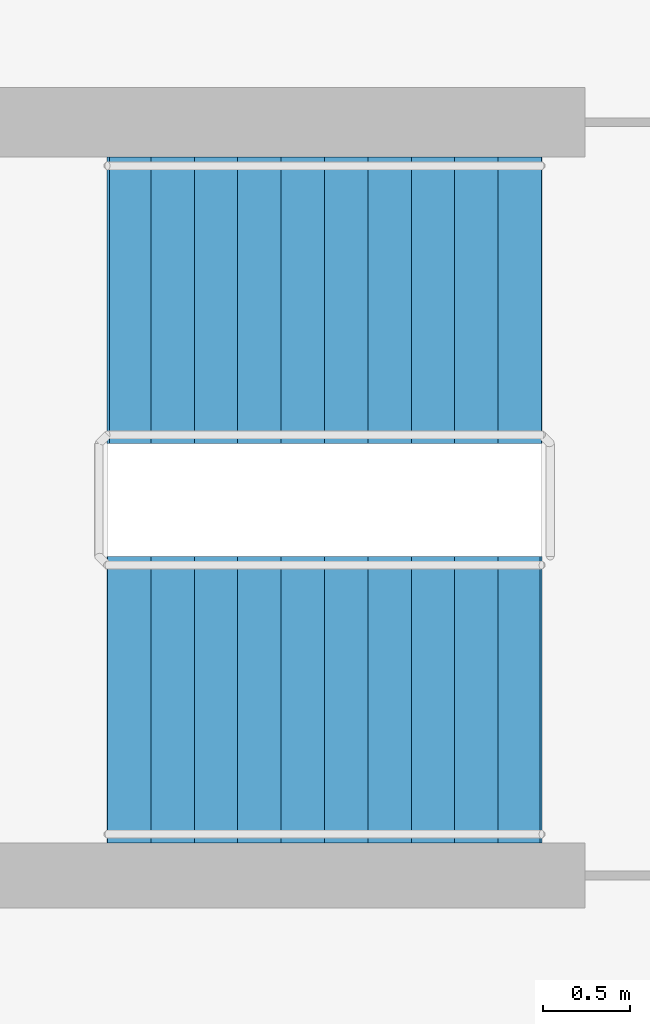
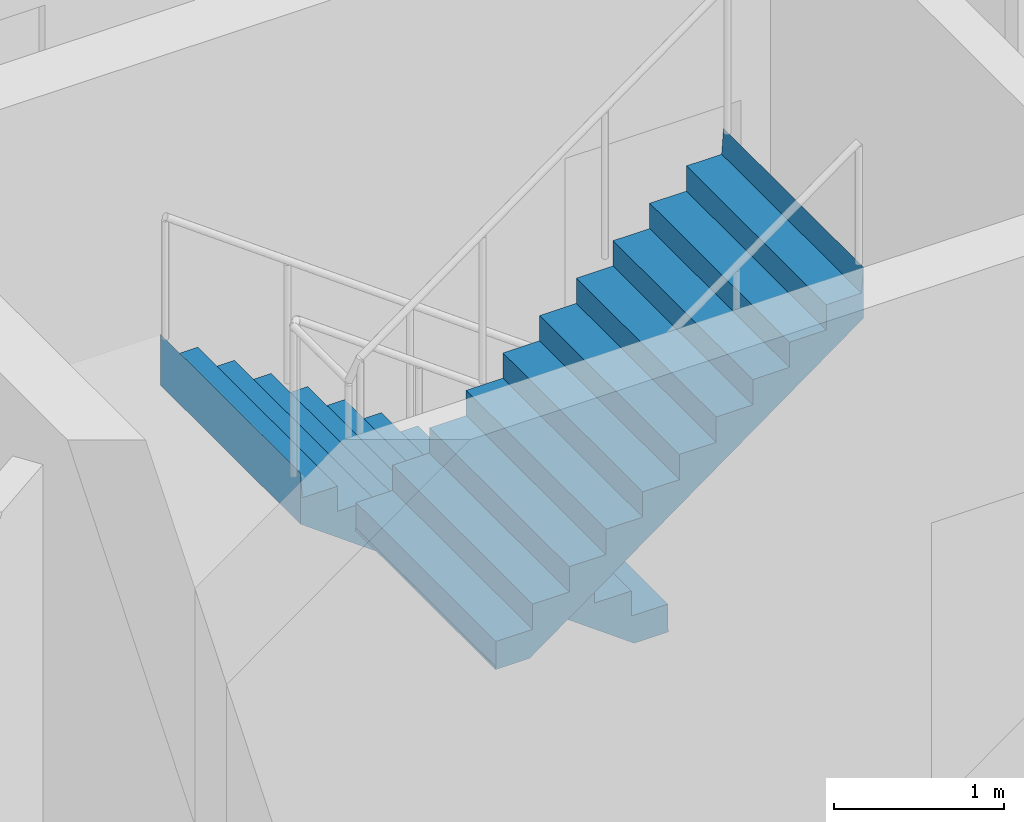
# One storey, part 11 of 12: 2 stair flights, 1 element without a shape of its own.
"""IFC4 building model written with IfcOpenShell, lengths in metres."""

import ifcopenshell
import ifcopenshell.guid

model = None  # the IFC model being written
_history = None  # IfcOwnerHistory: only IFC2X3 demands one
_inside = {}  # id of a spatial element -> (the spatial element, [elements in it])
_under = {}  # id of a project, library or spatial element -> (it, [spatial elements below it])
_declared = {}  # id of a project -> (the project, [libraries it declares])
_typed = {}  # id of a type object -> (the type object, [elements of that type])
_made_of = {}  # id of a material, layer set ... -> (it, [elements and type objects made of it])


def new_model(schema):
    """Start an empty IFC model of exactly this schema.

    Asked for "IFC4X3", IfcOpenShell would pick the latest addendum, in which some entities
    have other attributes; the version numbers below select the first issue.
    IFC2X3 requires an IfcOwnerHistory on every rooted entity: one is made here for all.
    """
    global model, _history
    if schema == "IFC4X3":
        model = ifcopenshell.file(schema_version=(4, 3, 0, 0))
    else:
        model = ifcopenshell.file(schema=schema)
    _inside.clear()
    _under.clear()
    _declared.clear()
    _typed.clear()
    _made_of.clear()
    _history = None
    if model.schema == "IFC2X3":
        org = make("IfcOrganization", Name="unknown")
        user = make(
            "IfcPersonAndOrganization",
            ThePerson=make("IfcPerson", FamilyName="unknown"),
            TheOrganization=org,
        )
        app = make(
            "IfcApplication",
            ApplicationDeveloper=org,
            Version="unknown",
            ApplicationFullName="unknown",
            ApplicationIdentifier="unknown",
        )
        _history = make(
            "IfcOwnerHistory",
            OwningUser=user,
            OwningApplication=app,
            ChangeAction="ADDED",
            CreationDate=0,
        )
    return model


def make(cls, **values):
    """One entity of the class cls with the attributes given. An attribute that is None is left unset."""
    return model.create_entity(
        cls, **{name: value for name, value in values.items() if value is not None}
    )


def rooted(cls, **values):
    """An entity with a GlobalId (a new one), such as an element, a storey or a relation."""
    return make(cls, GlobalId=ifcopenshell.guid.new(), OwnerHistory=_history, **values)


def si_unit(unit_type, name, prefix=None):
    """IfcSIUnit, for example si_unit("LENGTHUNIT", "METRE", prefix="MILLI")."""
    return make("IfcSIUnit", UnitType=unit_type, Prefix=prefix, Name=name)


def assignment(units):
    """IfcUnitAssignment: the units of a project."""
    return None if units is None else make("IfcUnitAssignment", Units=units)


def point(xyz):
    """IfcCartesianPoint."""
    return None if xyz is None else make("IfcCartesianPoint", Coordinates=xyz)


def direction(xyz):
    """IfcDirection."""
    return None if xyz is None else make("IfcDirection", DirectionRatios=xyz)


def frame(location, z_axis=None, x_axis=None):
    """IfcAxis2Placement3D, a coordinate frame: its origin and axes. An axis left out is left unset."""
    return make(
        "IfcAxis2Placement3D",
        Location=point(location),
        Axis=direction(z_axis),
        RefDirection=direction(x_axis),
    )


def origin():
    """The frame at (0, 0, 0) with its axes left unset."""
    return frame((0.0, 0.0, 0.0))


def place(relative_to, where):
    """IfcLocalPlacement: puts the frame where relative to a parent placement (None: the world)."""
    return make(
        "IfcLocalPlacement", PlacementRelTo=relative_to, RelativePlacement=where
    )


def context(
    kind, dimensions, precision=None, world=None, true_north=None, identifier=None
):
    """IfcGeometricRepresentationContext, for example the 3D "Model" context."""
    return make(
        "IfcGeometricRepresentationContext",
        ContextIdentifier=identifier,
        ContextType=kind,
        CoordinateSpaceDimension=dimensions,
        Precision=precision,
        WorldCoordinateSystem=world,
        TrueNorth=true_north,
    )


def subcontext(parent, identifier, kind, view, scale=None):
    """IfcGeometricRepresentationSubContext, for example "Body" below "Model"."""
    return make(
        "IfcGeometricRepresentationSubContext",
        ContextIdentifier=identifier,
        ContextType=kind,
        ParentContext=parent,
        TargetScale=scale,
        TargetView=view,
    )


def project(units=None, contexts=None):
    """IfcProject with its units and contexts."""
    return rooted(
        "IfcProject",
        Name="project",
        RepresentationContexts=contexts,
        UnitsInContext=assignment(units),
    )


def spatial(cls, under=None, at=None, **own):
    """A site, building, storey or space (cls), placed at a placement, below another one or the project."""
    s = rooted(cls, ObjectPlacement=at, **own)
    if under is not None:
        _under.setdefault(under.id(), (under, []))[1].append(s)
    return s


def point_list(points):
    """IfcCartesianPointList2D or 3D."""
    cls = (
        "IfcCartesianPointList2D" if len(points[0]) == 2 else "IfcCartesianPointList3D"
    )
    return make(cls, CoordList=points)


def triangles(points, corners, closed=None, point_numbers=None):
    """IfcTriangulatedFaceSet: each triangle names its three corners, points numbered from 1."""
    return make(
        "IfcTriangulatedFaceSet",
        Coordinates=point_list(points),
        Closed=closed,
        CoordIndex=corners,
        PnIndex=point_numbers,
    )


def shape(context_of_items, identifier, shape_type, items):
    """IfcShapeRepresentation: the items that make up one representation, for example the "Body"."""
    return make(
        "IfcShapeRepresentation",
        ContextOfItems=context_of_items,
        RepresentationIdentifier=identifier,
        RepresentationType=shape_type,
        Items=items,
    )


def material(Name=None, Category=None):
    """IfcMaterial."""
    return make("IfcMaterial", Name=Name, Category=Category)


def made_of(thing, what):
    """Note that an element or type object is made of a material, layer set ...; save() writes the relation."""
    if what is not None:
        _made_of.setdefault(what.id(), (what, []))[1].append(thing)
    return thing


def type_object(cls, material=None, **own):
    """A type object (cls), such as IfcWallType, which elements share."""
    return made_of(rooted(cls, **own), material)


def element(
    cls,
    number,
    at=None,
    inside=None,
    cuts=None,
    type_object=None,
    material=None,
    context=None,
    identifier="Body",
    shape_type=None,
    held_by="IfcProductDefinitionShape",
    body=None,
    shapes=None,
    **own,
):
    """One element of the class cls, such as IfcWall. Its Tag is "e" and its number.

    at: its placement. inside: the storey or other place that contains it. cuts: it is an
    opening in that element (IfcRelVoidsElement). A single representation is given by context,
    identifier, shape_type and body (its items); several are given by shapes. held_by: the class
    of the entity that holds the representations. save() writes the other relations.
    """
    e = rooted(cls, Tag="e%d" % number, ObjectPlacement=at, **own)
    if body is not None:
        shapes = [shape(context, identifier, shape_type, body)]
    if shapes is not None:
        e.Representation = make(held_by, Representations=shapes)
    if inside is not None:
        _inside.setdefault(inside.id(), (inside, []))[1].append(e)
    if cuts is not None:
        rooted(
            "IfcRelVoidsElement", RelatingBuildingElement=cuts, RelatedOpeningElement=e
        )
    if type_object is not None:
        _typed.setdefault(type_object.id(), (type_object, []))[1].append(e)
    return made_of(e, material)


def aggregate(whole, parts):
    """IfcRelAggregates: a whole, such as a stair, and the parts it consists of."""
    return rooted("IfcRelAggregates", RelatingObject=whole, RelatedObjects=parts)


def save(model, path):
    """Write the relations noted so far, then the file.

    IfcRelAggregates (storeys below a building ...), IfcRelContainedInSpatialStructure (elements
    in a storey), IfcRelDefinesByType, IfcRelAssociatesMaterial and IfcRelDeclares: one each for
    every whole, place, type object, material and project.
    """
    for whole, parts in _under.values():
        aggregate(whole, parts)
    for where, things in _inside.values():
        rooted(
            "IfcRelContainedInSpatialStructure",
            RelatedElements=things,
            RelatingStructure=where,
        )
    for kind, things in _typed.values():
        rooted("IfcRelDefinesByType", RelatedObjects=things, RelatingType=kind)
    for what, things in _made_of.values():
        rooted("IfcRelAssociatesMaterial", RelatedObjects=things, RelatingMaterial=what)
    for by, libraries in _declared.values():
        rooted("IfcRelDeclares", RelatingContext=by, RelatedDefinitions=libraries)
    model.write(path)


model = new_model("IFC4")

# Units and contexts
model_context = context("Model", 3, precision=1e-05, world=origin(), true_north=direction((0.0, 1.0)))
body_context = subcontext(model_context, "Body", "Model", "MODEL_VIEW")
ifc_project = project(units=[si_unit("LENGTHUNIT", "METRE"), si_unit("AREAUNIT", "SQUARE_METRE"), si_unit("VOLUMEUNIT", "CUBIC_METRE"), si_unit("PLANEANGLEUNIT", "RADIAN"), si_unit("MASSUNIT", "GRAM", prefix="KILO")], contexts=[model_context])

# Site, building, storey
site_placement = place(None, origin())
site = spatial("IfcSite", under=ifc_project, at=site_placement, CompositionType="ELEMENT")
building_placement = place(site_placement, origin())
building = spatial("IfcBuilding", under=site, at=building_placement, Name="Maasbend Ring Residences", CompositionType="ELEMENT")
storey_placement = place(building_placement, frame((0.0, 0.0, 265.5)))
storey = spatial("IfcBuildingStorey", under=building, at=storey_placement, Name="L76", CompositionType="ELEMENT", Elevation=265.5)

# Stair, stair flights
ifc_material_1 = material(Name="Concrete C40/50", Category="concrete")
stair_type = type_object("IfcStairType", Name="CORE STAIR 22 RISERS", PredefinedType="HALF_TURN_STAIR", material=ifc_material_1)
stair_placement = place(storey_placement, origin())
stair = element("IfcStair", 1, at=stair_placement, inside=storey, type_object=stair_type, Name="L76 Exit stair ST-E1", PredefinedType="HALF_TURN_STAIR")
ifc_material_2 = material(Name="Concrete C40/50", Category="concrete")
stair_flight_type = type_object("IfcStairFlightType", Name="CORE STAIR FLIGHT 1650", PredefinedType="STRAIGHT", material=ifc_material_2)
stair_flight_1_placement = place(storey_placement, frame((13.550048828125, 7.77490234375, 0.0), z_axis=(0.0, 0.0, 1.0), x_axis=(-1.0, 0.0, 0.0)))
stair_flight_1 = element("IfcStairFlight", 2, at=stair_flight_1_placement, type_object=stair_flight_type, Name="ST-E1 flight 1", NumberOfRisers=11, NumberOfTreads=10, PredefinedType="STRAIGHT", RiserHeight=0.181818182, TreadLength=0.25, context=body_context, shape_type="Tessellation", body=[
    triangles([(0.23046875, 0.824951171875, -0.02001953125), (2.5029296875, 0.824951171875, 1.6328125), (2.5029296875, 0.824951171875, 2.0), (2.489990234375, 0.824951171875, 1.818115234375), (2.25, 0.824951171875, 1.818115234375), (2.25, 0.824951171875, 1.636474609375), (2.0, 0.824951171875, 1.636474609375), (2.0, 0.824951171875, 1.45458984375), (1.75, 0.824951171875, 1.45458984375), (1.75, 0.824951171875, 1.272705078125), (1.5, 0.824951171875, 1.272705078125), (1.5, 0.824951171875, 1.0908203125), (1.25, 0.824951171875, 1.0908203125), (1.25, 0.824951171875, 0.9091796875), (1.0, 0.824951171875, 0.9091796875), (1.0, 0.824951171875, 0.727294921875), (0.75, 0.824951171875, 0.727294921875), (0.75, 0.824951171875, 0.54541015625), (0.5, 0.824951171875, 0.54541015625), (0.5, 0.824951171875, 0.363525390625), (0.25, 0.824951171875, 0.363525390625), (0.25, 0.824951171875, 0.181884765625), (0.0, 0.824951171875, 0.181884765625), (0.0, 0.824951171875, 0.0), (-0.0029296875, 0.824951171875, 0.0), (-0.0029296875, 0.824951171875, -0.02001953125), (0.23046875, 0.0, -0.02001953125), (2.5029296875, 0.0, 1.6328125), (2.5029296875, 0.0, 2.0), (2.489990234375, 0.0, 1.818115234375), (2.25, 0.0, 1.818115234375), (2.25, 0.0, 1.636474609375), (2.0, 0.0, 1.636474609375), (2.0, 0.0, 1.45458984375), (1.75, 0.0, 1.45458984375), (1.75, 0.0, 1.272705078125), (1.5, 0.0, 1.272705078125), (1.5, 0.0, 1.0908203125), (1.25, 0.0, 1.0908203125), (1.25, 0.0, 0.9091796875), (1.0, 0.0, 0.9091796875), (1.0, 0.0, 0.727294921875), (0.75, 0.0, 0.727294921875), (0.75, 0.0, 0.54541015625), (0.5, 0.0, 0.54541015625), (0.5, 0.0, 0.363525390625), (0.25, 0.0, 0.363525390625), (0.25, 0.0, 0.181884765625), (0.0, 0.0, 0.181884765625), (0.0, 0.0, 0.0), (-0.0029296875, 0.0, 0.0), (-0.0029296875, 0.0, -0.02001953125), (0.23046875, -0.824951171875, -0.02001953125), (2.5029296875, -0.824951171875, 1.6328125), (2.5029296875, -0.824951171875, 2.0), (2.489990234375, -0.824951171875, 1.818115234375), (2.25, -0.824951171875, 1.818115234375), (2.25, -0.824951171875, 1.636474609375), (2.0, -0.824951171875, 1.636474609375), (2.0, -0.824951171875, 1.45458984375), (1.75, -0.824951171875, 1.45458984375), (1.75, -0.824951171875, 1.272705078125), (1.5, -0.824951171875, 1.272705078125), (1.5, -0.824951171875, 1.0908203125), (1.25, -0.824951171875, 1.0908203125), (1.25, -0.824951171875, 0.9091796875), (1.0, -0.824951171875, 0.9091796875), (1.0, -0.824951171875, 0.727294921875), (0.75, -0.824951171875, 0.727294921875), (0.75, -0.824951171875, 0.54541015625), (0.5, -0.824951171875, 0.54541015625), (0.5, -0.824951171875, 0.363525390625), (0.25, -0.824951171875, 0.363525390625), (0.25, -0.824951171875, 0.181884765625), (0.0, -0.824951171875, 0.181884765625), (0.0, -0.824951171875, 0.0), (-0.0029296875, -0.824951171875, 0.0), (-0.0029296875, -0.824951171875, -0.02001953125)], [[1, 2, 28], [1, 28, 27], [27, 28, 54], [27, 54, 53], [2, 3, 29], [2, 29, 28], [28, 29, 55], [28, 55, 54], [3, 4, 30], [3, 30, 29], [29, 30, 56], [29, 56, 55], [4, 5, 31], [4, 31, 30], [30, 31, 57], [30, 57, 56], [5, 6, 32], [5, 32, 31], [31, 32, 58], [31, 58, 57], [6, 7, 33], [6, 33, 32], [32, 33, 59], [32, 59, 58], [7, 8, 34], [7, 34, 33], [33, 34, 60], [33, 60, 59], [8, 9, 35], [8, 35, 34], [34, 35, 61], [34, 61, 60], [9, 10, 36], [9, 36, 35], [35, 36, 62], [35, 62, 61], [10, 11, 37], [10, 37, 36], [36, 37, 63], [36, 63, 62], [11, 12, 38], [11, 38, 37], [37, 38, 64], [37, 64, 63], [12, 13, 39], [12, 39, 38], [38, 39, 65], [38, 65, 64], [13, 14, 40], [13, 40, 39], [39, 40, 66], [39, 66, 65], [14, 15, 41], [14, 41, 40], [40, 41, 67], [40, 67, 66], [15, 16, 42], [15, 42, 41], [41, 42, 68], [41, 68, 67], [16, 17, 43], [16, 43, 42], [42, 43, 69], [42, 69, 68], [17, 18, 44], [17, 44, 43], [43, 44, 70], [43, 70, 69], [18, 19, 45], [18, 45, 44], [44, 45, 71], [44, 71, 70], [19, 20, 46], [19, 46, 45], [45, 46, 72], [45, 72, 71], [20, 21, 47], [20, 47, 46], [46, 47, 73], [46, 73, 72], [21, 22, 48], [21, 48, 47], [47, 48, 74], [47, 74, 73], [22, 23, 49], [22, 49, 48], [48, 49, 75], [48, 75, 74], [23, 24, 50], [23, 50, 49], [49, 50, 76], [49, 76, 75], [24, 25, 51], [24, 51, 50], [50, 51, 77], [50, 77, 76], [25, 26, 52], [25, 52, 51], [51, 52, 78], [51, 78, 77], [26, 1, 27], [26, 27, 52], [52, 27, 53], [52, 53, 78], [26, 2, 1], [2, 4, 3], [2, 5, 4], [2, 6, 5], [26, 6, 2], [6, 8, 7], [26, 8, 6], [8, 10, 9], [26, 10, 8], [10, 12, 11], [26, 12, 10], [12, 14, 13], [26, 14, 12], [14, 16, 15], [26, 16, 14], [16, 18, 17], [26, 18, 16], [18, 20, 19], [26, 20, 18], [20, 22, 21], [26, 22, 20], [22, 24, 23], [26, 24, 22], [24, 26, 25], [78, 53, 54], [54, 55, 56], [54, 56, 57], [54, 57, 58], [78, 54, 58], [58, 59, 60], [78, 58, 60], [60, 61, 62], [78, 60, 62], [62, 63, 64], [78, 62, 64], [64, 65, 66], [78, 64, 66], [66, 67, 68], [78, 66, 68], [68, 69, 70], [78, 68, 70], [70, 71, 72], [78, 70, 72], [72, 73, 74], [78, 72, 74], [74, 75, 76], [78, 74, 76], [76, 77, 78]], closed=True),
])
stair_flight_2_placement = place(storey_placement, frame((11.050048828125, 5.47509765625, 2.0), z_axis=(0.0, 0.0, 1.0), x_axis=(1.0, 0.0, 0.0)))
stair_flight_2 = element("IfcStairFlight", 3, at=stair_flight_2_placement, type_object=stair_flight_type, Name="ST-E1 flight 2", NumberOfRisers=11, NumberOfTreads=10, PredefinedType="STRAIGHT", RiserHeight=0.181818182, TreadLength=0.25, context=body_context, shape_type="Tessellation", body=[
    triangles([(0.23046875, 0.824951171875, -0.02001953125), (2.5029296875, 0.824951171875, 1.6328125), (2.5029296875, 0.824951171875, 2.0), (2.489990234375, 0.824951171875, 1.818115234375), (2.25, 0.824951171875, 1.818115234375), (2.25, 0.824951171875, 1.636474609375), (2.0, 0.824951171875, 1.636474609375), (2.0, 0.824951171875, 1.45458984375), (1.75, 0.824951171875, 1.45458984375), (1.75, 0.824951171875, 1.272705078125), (1.5, 0.824951171875, 1.272705078125), (1.5, 0.824951171875, 1.0908203125), (1.25, 0.824951171875, 1.0908203125), (1.25, 0.824951171875, 0.9091796875), (1.0, 0.824951171875, 0.9091796875), (1.0, 0.824951171875, 0.727294921875), (0.75, 0.824951171875, 0.727294921875), (0.75, 0.824951171875, 0.54541015625), (0.5, 0.824951171875, 0.54541015625), (0.5, 0.824951171875, 0.363525390625), (0.25, 0.824951171875, 0.363525390625), (0.25, 0.824951171875, 0.181884765625), (0.0, 0.824951171875, 0.181884765625), (0.0, 0.824951171875, 0.0), (-0.0029296875, 0.824951171875, 0.0), (-0.0029296875, 0.824951171875, -0.02001953125), (0.23046875, 0.0, -0.02001953125), (2.5029296875, 0.0, 1.6328125), (2.5029296875, 0.0, 2.0), (2.489990234375, 0.0, 1.818115234375), (2.25, 0.0, 1.818115234375), (2.25, 0.0, 1.636474609375), (2.0, 0.0, 1.636474609375), (2.0, 0.0, 1.45458984375), (1.75, 0.0, 1.45458984375), (1.75, 0.0, 1.272705078125), (1.5, 0.0, 1.272705078125), (1.5, 0.0, 1.0908203125), (1.25, 0.0, 1.0908203125), (1.25, 0.0, 0.9091796875), (1.0, 0.0, 0.9091796875), (1.0, 0.0, 0.727294921875), (0.75, 0.0, 0.727294921875), (0.75, 0.0, 0.54541015625), (0.5, 0.0, 0.54541015625), (0.5, 0.0, 0.363525390625), (0.25, 0.0, 0.363525390625), (0.25, 0.0, 0.181884765625), (0.0, 0.0, 0.181884765625), (0.0, 0.0, 0.0), (-0.0029296875, 0.0, 0.0), (-0.0029296875, 0.0, -0.02001953125), (0.23046875, -0.824951171875, -0.02001953125), (2.5029296875, -0.824951171875, 1.6328125), (2.5029296875, -0.824951171875, 2.0), (2.489990234375, -0.824951171875, 1.818115234375), (2.25, -0.824951171875, 1.818115234375), (2.25, -0.824951171875, 1.636474609375), (2.0, -0.824951171875, 1.636474609375), (2.0, -0.824951171875, 1.45458984375), (1.75, -0.824951171875, 1.45458984375), (1.75, -0.824951171875, 1.272705078125), (1.5, -0.824951171875, 1.272705078125), (1.5, -0.824951171875, 1.0908203125), (1.25, -0.824951171875, 1.0908203125), (1.25, -0.824951171875, 0.9091796875), (1.0, -0.824951171875, 0.9091796875), (1.0, -0.824951171875, 0.727294921875), (0.75, -0.824951171875, 0.727294921875), (0.75, -0.824951171875, 0.54541015625), (0.5, -0.824951171875, 0.54541015625), (0.5, -0.824951171875, 0.363525390625), (0.25, -0.824951171875, 0.363525390625), (0.25, -0.824951171875, 0.181884765625), (0.0, -0.824951171875, 0.181884765625), (0.0, -0.824951171875, 0.0), (-0.0029296875, -0.824951171875, 0.0), (-0.0029296875, -0.824951171875, -0.02001953125)], [[1, 2, 28], [1, 28, 27], [27, 28, 54], [27, 54, 53], [2, 3, 29], [2, 29, 28], [28, 29, 55], [28, 55, 54], [3, 4, 30], [3, 30, 29], [29, 30, 56], [29, 56, 55], [4, 5, 31], [4, 31, 30], [30, 31, 57], [30, 57, 56], [5, 6, 32], [5, 32, 31], [31, 32, 58], [31, 58, 57], [6, 7, 33], [6, 33, 32], [32, 33, 59], [32, 59, 58], [7, 8, 34], [7, 34, 33], [33, 34, 60], [33, 60, 59], [8, 9, 35], [8, 35, 34], [34, 35, 61], [34, 61, 60], [9, 10, 36], [9, 36, 35], [35, 36, 62], [35, 62, 61], [10, 11, 37], [10, 37, 36], [36, 37, 63], [36, 63, 62], [11, 12, 38], [11, 38, 37], [37, 38, 64], [37, 64, 63], [12, 13, 39], [12, 39, 38], [38, 39, 65], [38, 65, 64], [13, 14, 40], [13, 40, 39], [39, 40, 66], [39, 66, 65], [14, 15, 41], [14, 41, 40], [40, 41, 67], [40, 67, 66], [15, 16, 42], [15, 42, 41], [41, 42, 68], [41, 68, 67], [16, 17, 43], [16, 43, 42], [42, 43, 69], [42, 69, 68], [17, 18, 44], [17, 44, 43], [43, 44, 70], [43, 70, 69], [18, 19, 45], [18, 45, 44], [44, 45, 71], [44, 71, 70], [19, 20, 46], [19, 46, 45], [45, 46, 72], [45, 72, 71], [20, 21, 47], [20, 47, 46], [46, 47, 73], [46, 73, 72], [21, 22, 48], [21, 48, 47], [47, 48, 74], [47, 74, 73], [22, 23, 49], [22, 49, 48], [48, 49, 75], [48, 75, 74], [23, 24, 50], [23, 50, 49], [49, 50, 76], [49, 76, 75], [24, 25, 51], [24, 51, 50], [50, 51, 77], [50, 77, 76], [25, 26, 52], [25, 52, 51], [51, 52, 78], [51, 78, 77], [26, 1, 27], [26, 27, 52], [52, 27, 53], [52, 53, 78], [26, 2, 1], [2, 4, 3], [2, 5, 4], [2, 6, 5], [26, 6, 2], [6, 8, 7], [26, 8, 6], [8, 10, 9], [26, 10, 8], [10, 12, 11], [26, 12, 10], [12, 14, 13], [26, 14, 12], [14, 16, 15], [26, 16, 14], [16, 18, 17], [26, 18, 16], [18, 20, 19], [26, 20, 18], [20, 22, 21], [26, 22, 20], [22, 24, 23], [26, 24, 22], [24, 26, 25], [78, 53, 54], [54, 55, 56], [54, 56, 57], [54, 57, 58], [78, 54, 58], [58, 59, 60], [78, 58, 60], [60, 61, 62], [78, 60, 62], [62, 63, 64], [78, 62, 64], [64, 65, 66], [78, 64, 66], [66, 67, 68], [78, 66, 68], [68, 69, 70], [78, 68, 70], [70, 71, 72], [78, 70, 72], [72, 73, 74], [78, 72, 74], [74, 75, 76], [78, 74, 76], [76, 77, 78]], closed=True),
])
aggregate(stair, [stair_flight_1, stair_flight_2])

save(model, "model.ifc")
